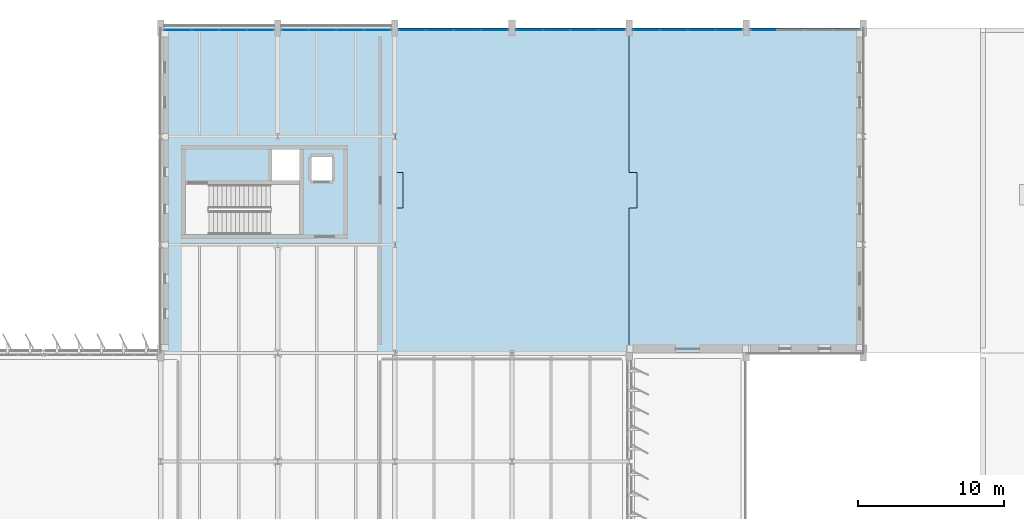
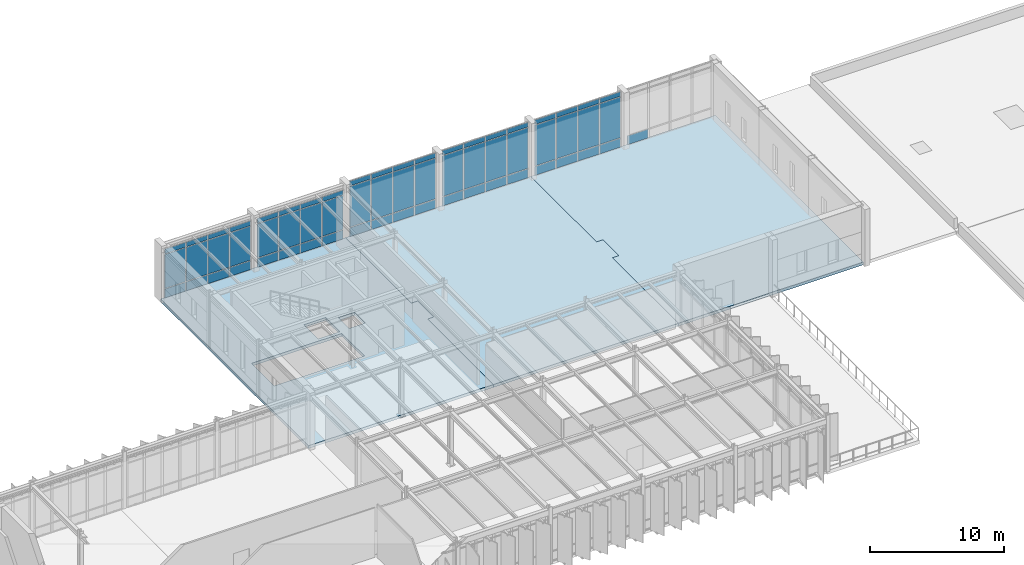
# One storey, part 32 of 48: 61 plates, 3 slabs, 6 elements without a shape of their own.
"""IFC4 building model written with IfcOpenShell, lengths in metres."""

from ifc_helpers import new_model, si_unit, direction, frame, origin, origin_2d, place, context, subcontext, project, spatial, polyline, rectangle, outline, extrude, material, layer, layer_set, type_object, element, aggregate, save


model = new_model("IFC4")

# Units and contexts
model_context = context("Model", 3, precision=1e-05, world=origin(), true_north=direction((0.0, 1.0)))
body_context = subcontext(model_context, "Body", "Model", "MODEL_VIEW")
ifc_project = project(units=[si_unit("LENGTHUNIT", "METRE"), si_unit("AREAUNIT", "SQUARE_METRE"), si_unit("VOLUMEUNIT", "CUBIC_METRE"), si_unit("PLANEANGLEUNIT", "RADIAN"), si_unit("MASSUNIT", "GRAM", prefix="KILO")], contexts=[model_context])

# Site, building, storey
site_placement = place(None, origin())
site = spatial("IfcSite", under=ifc_project, at=site_placement, CompositionType="ELEMENT")
building_placement = place(site_placement, origin())
building = spatial("IfcBuilding", under=site, at=building_placement, Name="Valkorina Park Police Headquarters", CompositionType="ELEMENT")
storey_placement = place(building_placement, frame((0.0, 0.0, 18.10009765625)))
storey = spatial("IfcBuildingStorey", under=building, at=storey_placement, Name="L05", CompositionType="ELEMENT", Elevation=18.10009765625)

# Curtain wall, plates
ifc_material_1 = material(Name="Thermally broken aluminium AW-6060", Category="aluminium")
ifc_layer_1 = layer(ifc_material_1, 0.18994140625)
ifc_layer_set_1 = layer_set([ifc_layer_1], Name="Thermally broken aluminium AW-6060")
curtain_wall_type_1 = type_object("IfcCurtainWallType", Name="CW-CMD-7530x4580", PredefinedType="NOTDEFINED", material=ifc_layer_set_1)
curtain_wall_1_placement = place(storey_placement, origin())
curtain_wall_1 = element("IfcCurtainWall", 1, at=curtain_wall_1_placement, inside=storey, type_object=curtain_wall_type_1, Name="L05 Unitised Curtain Wall 088", PredefinedType="NOTDEFINED")
ifc_layer_2 = layer(ifc_material_1, 0.050048828125)
ifc_layer_set_2 = layer_set([ifc_layer_2], Name="Thermally broken aluminium AW-6060")
plate_type_1 = type_object("IfcPlateType", Name="PL-CWP-SPANDREL-50", PredefinedType="CURTAIN_PANEL", material=ifc_layer_set_2)
plate_1_placement = place(storey_placement, frame((81.9912109375, 81.280029296875, 0.059814453125), z_axis=(0.0, 0.0, 1.0), x_axis=(1.0, 0.0, 0.0)))
plate_1 = element("IfcPlate", 2, at=plate_1_placement, type_object=plate_type_1, Name="CW-CMD-753-458 panel 1.1", PredefinedType="CURTAIN_PANEL", context=body_context, shape_type="SweptSolid", body=[
    extrude(rectangle(XDim=1.79248046875, YDim=0.028076171875, at=origin_2d()), origin(), (0.0, 0.0, 1.0), 0.81005859375),
])
plate_2_placement = place(storey_placement, frame((83.858642578125, 81.280029296875, 0.059814453125), z_axis=(0.0, 0.0, 1.0), x_axis=(1.0, 0.0, 0.0)))
plate_2 = element("IfcPlate", 3, at=plate_2_placement, type_object=plate_type_1, Name="CW-CMD-753-458 panel 2.1", PredefinedType="CURTAIN_PANEL", context=body_context, shape_type="SweptSolid", body=[
    extrude(rectangle(XDim=1.822509765625, YDim=0.028076171875, at=origin_2d()), origin(), (0.0, 0.0, 1.0), 0.81005859375),
])
plate_3_placement = place(storey_placement, frame((85.7412109375, 81.280029296875, 0.059814453125), z_axis=(0.0, 0.0, 1.0), x_axis=(1.0, 0.0, 0.0)))
plate_3 = element("IfcPlate", 4, at=plate_3_placement, type_object=plate_type_1, Name="CW-CMD-753-458 panel 3.1", PredefinedType="CURTAIN_PANEL", context=body_context, shape_type="SweptSolid", body=[
    extrude(rectangle(XDim=1.822509765625, YDim=0.028076171875, at=origin_2d()), origin(), (0.0, 0.0, 1.0), 0.81005859375),
])
plate_4_placement = place(storey_placement, frame((87.608642578125, 81.280029296875, 0.059814453125), z_axis=(0.0, 0.0, 1.0), x_axis=(1.0, 0.0, 0.0)))
plate_4 = element("IfcPlate", 5, at=plate_4_placement, type_object=plate_type_1, Name="CW-CMD-753-458 panel 4.1", PredefinedType="CURTAIN_PANEL", context=body_context, shape_type="SweptSolid", body=[
    extrude(rectangle(XDim=1.79248046875, YDim=0.028076171875, at=origin_2d()), origin(), (0.0, 0.0, 1.0), 0.81005859375),
])

curtain_wall_2_placement = place(storey_placement, origin())
curtain_wall_2 = element("IfcCurtainWall", 6, at=curtain_wall_2_placement, inside=storey, type_object=curtain_wall_type_1, Name="L05 Unitised Curtain Wall 089", PredefinedType="NOTDEFINED")
plate_5_placement = place(storey_placement, frame((89.9912109375, 81.280029296875, 0.059814453125), z_axis=(0.0, 0.0, 1.0), x_axis=(1.0, 0.0, 0.0)))
plate_5 = element("IfcPlate", 7, at=plate_5_placement, type_object=plate_type_1, Name="CW-CMD-753-458 panel 1.1", PredefinedType="CURTAIN_PANEL", context=body_context, shape_type="SweptSolid", body=[
    extrude(rectangle(XDim=1.79248046875, YDim=0.028076171875, at=origin_2d()), origin(), (0.0, 0.0, 1.0), 0.81005859375),
])
plate_6_placement = place(storey_placement, frame((91.858642578125, 81.280029296875, 0.059814453125), z_axis=(0.0, 0.0, 1.0), x_axis=(1.0, 0.0, 0.0)))
plate_6 = element("IfcPlate", 8, at=plate_6_placement, type_object=plate_type_1, Name="CW-CMD-753-458 panel 2.1", PredefinedType="CURTAIN_PANEL", context=body_context, shape_type="SweptSolid", body=[
    extrude(rectangle(XDim=1.822509765625, YDim=0.028076171875, at=origin_2d()), origin(), (0.0, 0.0, 1.0), 0.81005859375),
])
plate_7_placement = place(storey_placement, frame((93.7412109375, 81.280029296875, 0.059814453125), z_axis=(0.0, 0.0, 1.0), x_axis=(1.0, 0.0, 0.0)))
plate_7 = element("IfcPlate", 9, at=plate_7_placement, type_object=plate_type_1, Name="CW-CMD-753-458 panel 3.1", PredefinedType="CURTAIN_PANEL", context=body_context, shape_type="SweptSolid", body=[
    extrude(rectangle(XDim=1.822509765625, YDim=0.028076171875, at=origin_2d()), origin(), (0.0, 0.0, 1.0), 0.81005859375),
])
plate_8_placement = place(storey_placement, frame((95.608642578125, 81.280029296875, 0.059814453125), z_axis=(0.0, 0.0, 1.0), x_axis=(1.0, 0.0, 0.0)))
plate_8 = element("IfcPlate", 10, at=plate_8_placement, type_object=plate_type_1, Name="CW-CMD-753-458 panel 4.1", PredefinedType="CURTAIN_PANEL", context=body_context, shape_type="SweptSolid", body=[
    extrude(rectangle(XDim=1.79248046875, YDim=0.028076171875, at=origin_2d()), origin(), (0.0, 0.0, 1.0), 0.81005859375),
])

ifc_layer_3 = layer(ifc_material_1, 0.18994140625)
ifc_layer_set_3 = layer_set([ifc_layer_3], Name="Thermally broken aluminium AW-6060")
curtain_wall_type_2 = type_object("IfcCurtainWallType", Name="CW-CMD-7530x5190", PredefinedType="NOTDEFINED", material=ifc_layer_set_3)
curtain_wall_3_placement = place(storey_placement, origin())
curtain_wall_3 = element("IfcCurtainWall", 11, at=curtain_wall_3_placement, inside=storey, type_object=curtain_wall_type_2, Name="L05 Unitised Curtain Wall 090", PredefinedType="NOTDEFINED")
plate_9_placement = place(storey_placement, frame((97.9912109375, 81.280029296875, 0.059814453125), z_axis=(0.0, 0.0, 1.0), x_axis=(1.0, 0.0, 0.0)))
plate_9 = element("IfcPlate", 12, at=plate_9_placement, type_object=plate_type_1, Name="CW-CMD-753-519 panel 1.1", PredefinedType="CURTAIN_PANEL", context=body_context, shape_type="SweptSolid", body=[
    extrude(rectangle(XDim=1.79248046875, YDim=0.028076171875, at=origin_2d()), origin(), (0.0, 0.0, 1.0), 0.81005859375),
])
plate_10_placement = place(storey_placement, frame((99.858642578125, 81.280029296875, 0.059814453125), z_axis=(0.0, 0.0, 1.0), x_axis=(1.0, 0.0, 0.0)))
plate_10 = element("IfcPlate", 13, at=plate_10_placement, type_object=plate_type_1, Name="CW-CMD-753-519 panel 2.1", PredefinedType="CURTAIN_PANEL", context=body_context, shape_type="SweptSolid", body=[
    extrude(rectangle(XDim=1.822509765625, YDim=0.028076171875, at=origin_2d()), origin(), (0.0, 0.0, 1.0), 0.81005859375),
])
plate_11_placement = place(storey_placement, frame((101.7412109375, 81.280029296875, 0.059814453125), z_axis=(0.0, 0.0, 1.0), x_axis=(1.0, 0.0, 0.0)))
plate_11 = element("IfcPlate", 14, at=plate_11_placement, type_object=plate_type_1, Name="CW-CMD-753-519 panel 3.1", PredefinedType="CURTAIN_PANEL", context=body_context, shape_type="SweptSolid", body=[
    extrude(rectangle(XDim=1.822509765625, YDim=0.028076171875, at=origin_2d()), origin(), (0.0, 0.0, 1.0), 0.81005859375),
])
plate_12_placement = place(storey_placement, frame((103.608642578125, 81.280029296875, 0.059814453125), z_axis=(0.0, 0.0, 1.0), x_axis=(1.0, 0.0, 0.0)))
plate_12 = element("IfcPlate", 15, at=plate_12_placement, type_object=plate_type_1, Name="CW-CMD-753-519 panel 4.1", PredefinedType="CURTAIN_PANEL", context=body_context, shape_type="SweptSolid", body=[
    extrude(rectangle(XDim=1.79248046875, YDim=0.028076171875, at=origin_2d()), origin(), (0.0, 0.0, 1.0), 0.81005859375),
])

curtain_wall_4_placement = place(storey_placement, origin())
curtain_wall_4 = element("IfcCurtainWall", 16, at=curtain_wall_4_placement, inside=storey, type_object=curtain_wall_type_2, Name="L05 Unitised Curtain Wall 091", PredefinedType="NOTDEFINED")
plate_13_placement = place(storey_placement, frame((105.9912109375, 81.280029296875, 0.059814453125), z_axis=(0.0, 0.0, 1.0), x_axis=(1.0, 0.0, 0.0)))
plate_13 = element("IfcPlate", 17, at=plate_13_placement, type_object=plate_type_1, Name="CW-CMD-753-519 panel 1.1", PredefinedType="CURTAIN_PANEL", context=body_context, shape_type="SweptSolid", body=[
    extrude(rectangle(XDim=1.79248046875, YDim=0.028076171875, at=origin_2d()), origin(), (0.0, 0.0, 1.0), 0.81005859375),
])
plate_14_placement = place(storey_placement, frame((107.858642578125, 81.280029296875, 0.059814453125), z_axis=(0.0, 0.0, 1.0), x_axis=(1.0, 0.0, 0.0)))
plate_14 = element("IfcPlate", 18, at=plate_14_placement, type_object=plate_type_1, Name="CW-CMD-753-519 panel 2.1", PredefinedType="CURTAIN_PANEL", context=body_context, shape_type="SweptSolid", body=[
    extrude(rectangle(XDim=1.822509765625, YDim=0.028076171875, at=origin_2d()), origin(), (0.0, 0.0, 1.0), 0.81005859375),
])
plate_15_placement = place(storey_placement, frame((109.7412109375, 81.280029296875, 0.059814453125), z_axis=(0.0, 0.0, 1.0), x_axis=(1.0, 0.0, 0.0)))
plate_15 = element("IfcPlate", 19, at=plate_15_placement, type_object=plate_type_1, Name="CW-CMD-753-519 panel 3.1", PredefinedType="CURTAIN_PANEL", context=body_context, shape_type="SweptSolid", body=[
    extrude(rectangle(XDim=1.822509765625, YDim=0.028076171875, at=origin_2d()), origin(), (0.0, 0.0, 1.0), 0.81005859375),
])
plate_16_placement = place(storey_placement, frame((111.608642578125, 81.280029296875, 0.059814453125), z_axis=(0.0, 0.0, 1.0), x_axis=(1.0, 0.0, 0.0)))
plate_16 = element("IfcPlate", 20, at=plate_16_placement, type_object=plate_type_1, Name="CW-CMD-753-519 panel 4.1", PredefinedType="CURTAIN_PANEL", context=body_context, shape_type="SweptSolid", body=[
    extrude(rectangle(XDim=1.79248046875, YDim=0.028076171875, at=origin_2d()), origin(), (0.0, 0.0, 1.0), 0.81005859375),
])

curtain_wall_5_placement = place(storey_placement, origin())
curtain_wall_5 = element("IfcCurtainWall", 21, at=curtain_wall_5_placement, inside=storey, type_object=curtain_wall_type_2, Name="L05 Unitised Curtain Wall 092", PredefinedType="NOTDEFINED")
plate_17_placement = place(storey_placement, frame((113.9912109375, 81.280029296875, 0.059814453125), z_axis=(0.0, 0.0, 1.0), x_axis=(1.0, 0.0, 0.0)))
plate_17 = element("IfcPlate", 22, at=plate_17_placement, type_object=plate_type_1, Name="CW-CMD-753-519 panel 1.1", PredefinedType="CURTAIN_PANEL", context=body_context, shape_type="SweptSolid", body=[
    extrude(rectangle(XDim=1.79248046875, YDim=0.028076171875, at=origin_2d()), origin(), (0.0, 0.0, 1.0), 0.81005859375),
])
plate_18_placement = place(storey_placement, frame((115.858642578125, 81.280029296875, 0.059814453125), z_axis=(0.0, 0.0, 1.0), x_axis=(1.0, 0.0, 0.0)))
plate_18 = element("IfcPlate", 23, at=plate_18_placement, type_object=plate_type_1, Name="CW-CMD-753-519 panel 2.1", PredefinedType="CURTAIN_PANEL", context=body_context, shape_type="SweptSolid", body=[
    extrude(rectangle(XDim=1.822509765625, YDim=0.028076171875, at=origin_2d()), origin(), (0.0, 0.0, 1.0), 0.81005859375),
])
plate_19_placement = place(storey_placement, frame((117.7412109375, 81.280029296875, 0.059814453125), z_axis=(0.0, 0.0, 1.0), x_axis=(1.0, 0.0, 0.0)))
plate_19 = element("IfcPlate", 24, at=plate_19_placement, type_object=plate_type_1, Name="CW-CMD-753-519 panel 3.1", PredefinedType="CURTAIN_PANEL", context=body_context, shape_type="SweptSolid", body=[
    extrude(rectangle(XDim=1.822509765625, YDim=0.028076171875, at=origin_2d()), origin(), (0.0, 0.0, 1.0), 0.81005859375),
])
plate_20_placement = place(storey_placement, frame((119.608642578125, 81.280029296875, 0.059814453125), z_axis=(0.0, 0.0, 1.0), x_axis=(1.0, 0.0, 0.0)))
plate_20 = element("IfcPlate", 25, at=plate_20_placement, type_object=plate_type_1, Name="CW-CMD-753-519 panel 4.1", PredefinedType="CURTAIN_PANEL", context=body_context, shape_type="SweptSolid", body=[
    extrude(rectangle(XDim=1.79248046875, YDim=0.028076171875, at=origin_2d()), origin(), (0.0, 0.0, 1.0), 0.81005859375),
])

# Curtain wall, plate
curtain_wall_6_placement = place(storey_placement, origin())
curtain_wall_6 = element("IfcCurtainWall", 26, at=curtain_wall_6_placement, inside=storey, type_object=curtain_wall_type_2, Name="L05 Unitised Curtain Wall 093", PredefinedType="NOTDEFINED")
plate_21_placement = place(storey_placement, frame((121.9912109375, 81.280029296875, 0.059814453125), z_axis=(0.0, 0.0, 1.0), x_axis=(1.0, 0.0, 0.0)))
plate_21 = element("IfcPlate", 27, at=plate_21_placement, type_object=plate_type_1, Name="CW-CMD-753-519 panel 1.1", PredefinedType="CURTAIN_PANEL", context=body_context, shape_type="SweptSolid", body=[
    extrude(rectangle(XDim=1.79248046875, YDim=0.028076171875, at=origin_2d()), origin(), (0.0, 0.0, 1.0), 0.81005859375),
])
aggregate(curtain_wall_6, [plate_21])

# Plate
ifc_material_2 = material(Name="Triple low-E insulated glazing", Category="glass")
ifc_layer_4 = layer(ifc_material_2, 0.028076171875)
ifc_layer_set_4 = layer_set([ifc_layer_4], Name="Triple low-E insulated glazing")
plate_type_2 = type_object("IfcPlateType", Name="PL-CWP-VISION-28", PredefinedType="CURTAIN_PANEL", material=ifc_layer_set_4)
plate_22_placement = place(storey_placement, frame((81.9912109375, 81.280029296875, 0.929931640625), z_axis=(0.0, 0.0, 1.0), x_axis=(1.0, 0.0, 0.0)))
plate_22 = element("IfcPlate", 28, at=plate_22_placement, type_object=plate_type_2, Name="CW-CMD-753-458 panel 1.2", PredefinedType="CURTAIN_PANEL", context=body_context, shape_type="SweptSolid", body=[
    extrude(rectangle(XDim=1.79248046875, YDim=0.028076171875, at=origin_2d()), origin(), (0.0, 0.0, 1.0), 3.10009765625),
])

plate_23_placement = place(storey_placement, frame((81.9912109375, 81.280029296875, 4.08984375), z_axis=(0.0, 0.0, 1.0), x_axis=(1.0, 0.0, 0.0)))
plate_23 = element("IfcPlate", 29, at=plate_23_placement, type_object=plate_type_2, Name="CW-CMD-753-458 panel 1.3", PredefinedType="CURTAIN_PANEL", context=body_context, shape_type="SweptSolid", body=[
    extrude(rectangle(XDim=1.79248046875, YDim=0.028076171875, at=origin_2d()), origin(), (0.0, 0.0, 1.0), 0.429931640625),
])

plate_24_placement = place(storey_placement, frame((83.858642578125, 81.280029296875, 0.929931640625), z_axis=(0.0, 0.0, 1.0), x_axis=(1.0, 0.0, 0.0)))
plate_24 = element("IfcPlate", 30, at=plate_24_placement, type_object=plate_type_2, Name="CW-CMD-753-458 panel 2.2", PredefinedType="CURTAIN_PANEL", context=body_context, shape_type="SweptSolid", body=[
    extrude(rectangle(XDim=1.822509765625, YDim=0.028076171875, at=origin_2d()), origin(), (0.0, 0.0, 1.0), 3.10009765625),
])

plate_25_placement = place(storey_placement, frame((83.858642578125, 81.280029296875, 4.08984375), z_axis=(0.0, 0.0, 1.0), x_axis=(1.0, 0.0, 0.0)))
plate_25 = element("IfcPlate", 31, at=plate_25_placement, type_object=plate_type_2, Name="CW-CMD-753-458 panel 2.3", PredefinedType="CURTAIN_PANEL", context=body_context, shape_type="SweptSolid", body=[
    extrude(rectangle(XDim=1.822509765625, YDim=0.028076171875, at=origin_2d()), origin(), (0.0, 0.0, 1.0), 0.429931640625),
])

plate_26_placement = place(storey_placement, frame((85.7412109375, 81.280029296875, 0.929931640625), z_axis=(0.0, 0.0, 1.0), x_axis=(1.0, 0.0, 0.0)))
plate_26 = element("IfcPlate", 32, at=plate_26_placement, type_object=plate_type_2, Name="CW-CMD-753-458 panel 3.2", PredefinedType="CURTAIN_PANEL", context=body_context, shape_type="SweptSolid", body=[
    extrude(rectangle(XDim=1.822509765625, YDim=0.028076171875, at=origin_2d()), origin(), (0.0, 0.0, 1.0), 3.10009765625),
])

plate_27_placement = place(storey_placement, frame((85.7412109375, 81.280029296875, 4.08984375), z_axis=(0.0, 0.0, 1.0), x_axis=(1.0, 0.0, 0.0)))
plate_27 = element("IfcPlate", 33, at=plate_27_placement, type_object=plate_type_2, Name="CW-CMD-753-458 panel 3.3", PredefinedType="CURTAIN_PANEL", context=body_context, shape_type="SweptSolid", body=[
    extrude(rectangle(XDim=1.822509765625, YDim=0.028076171875, at=origin_2d()), origin(), (0.0, 0.0, 1.0), 0.429931640625),
])

plate_28_placement = place(storey_placement, frame((87.608642578125, 81.280029296875, 0.929931640625), z_axis=(0.0, 0.0, 1.0), x_axis=(1.0, 0.0, 0.0)))
plate_28 = element("IfcPlate", 34, at=plate_28_placement, type_object=plate_type_2, Name="CW-CMD-753-458 panel 4.2", PredefinedType="CURTAIN_PANEL", context=body_context, shape_type="SweptSolid", body=[
    extrude(rectangle(XDim=1.79248046875, YDim=0.028076171875, at=origin_2d()), origin(), (0.0, 0.0, 1.0), 3.10009765625),
])

plate_29_placement = place(storey_placement, frame((87.608642578125, 81.280029296875, 4.08984375), z_axis=(0.0, 0.0, 1.0), x_axis=(1.0, 0.0, 0.0)))
plate_29 = element("IfcPlate", 35, at=plate_29_placement, type_object=plate_type_2, Name="CW-CMD-753-458 panel 4.3", PredefinedType="CURTAIN_PANEL", context=body_context, shape_type="SweptSolid", body=[
    extrude(rectangle(XDim=1.79248046875, YDim=0.028076171875, at=origin_2d()), origin(), (0.0, 0.0, 1.0), 0.429931640625),
])

aggregate(curtain_wall_1, [plate_1, plate_22, plate_23, plate_2, plate_24, plate_25, plate_3, plate_26, plate_27, plate_4, plate_28, plate_29])

plate_30_placement = place(storey_placement, frame((89.9912109375, 81.280029296875, 0.929931640625), z_axis=(0.0, 0.0, 1.0), x_axis=(1.0, 0.0, 0.0)))
plate_30 = element("IfcPlate", 36, at=plate_30_placement, type_object=plate_type_2, Name="CW-CMD-753-458 panel 1.2", PredefinedType="CURTAIN_PANEL", context=body_context, shape_type="SweptSolid", body=[
    extrude(rectangle(XDim=1.79248046875, YDim=0.028076171875, at=origin_2d()), origin(), (0.0, 0.0, 1.0), 3.10009765625),
])

plate_31_placement = place(storey_placement, frame((89.9912109375, 81.280029296875, 4.08984375), z_axis=(0.0, 0.0, 1.0), x_axis=(1.0, 0.0, 0.0)))
plate_31 = element("IfcPlate", 37, at=plate_31_placement, type_object=plate_type_2, Name="CW-CMD-753-458 panel 1.3", PredefinedType="CURTAIN_PANEL", context=body_context, shape_type="SweptSolid", body=[
    extrude(rectangle(XDim=1.79248046875, YDim=0.028076171875, at=origin_2d()), origin(), (0.0, 0.0, 1.0), 0.429931640625),
])

plate_32_placement = place(storey_placement, frame((91.858642578125, 81.280029296875, 0.929931640625), z_axis=(0.0, 0.0, 1.0), x_axis=(1.0, 0.0, 0.0)))
plate_32 = element("IfcPlate", 38, at=plate_32_placement, type_object=plate_type_2, Name="CW-CMD-753-458 panel 2.2", PredefinedType="CURTAIN_PANEL", context=body_context, shape_type="SweptSolid", body=[
    extrude(rectangle(XDim=1.822509765625, YDim=0.028076171875, at=origin_2d()), origin(), (0.0, 0.0, 1.0), 3.10009765625),
])

plate_33_placement = place(storey_placement, frame((91.858642578125, 81.280029296875, 4.08984375), z_axis=(0.0, 0.0, 1.0), x_axis=(1.0, 0.0, 0.0)))
plate_33 = element("IfcPlate", 39, at=plate_33_placement, type_object=plate_type_2, Name="CW-CMD-753-458 panel 2.3", PredefinedType="CURTAIN_PANEL", context=body_context, shape_type="SweptSolid", body=[
    extrude(rectangle(XDim=1.822509765625, YDim=0.028076171875, at=origin_2d()), origin(), (0.0, 0.0, 1.0), 0.429931640625),
])

plate_34_placement = place(storey_placement, frame((93.7412109375, 81.280029296875, 0.929931640625), z_axis=(0.0, 0.0, 1.0), x_axis=(1.0, 0.0, 0.0)))
plate_34 = element("IfcPlate", 40, at=plate_34_placement, type_object=plate_type_2, Name="CW-CMD-753-458 panel 3.2", PredefinedType="CURTAIN_PANEL", context=body_context, shape_type="SweptSolid", body=[
    extrude(rectangle(XDim=1.822509765625, YDim=0.028076171875, at=origin_2d()), origin(), (0.0, 0.0, 1.0), 3.10009765625),
])

plate_35_placement = place(storey_placement, frame((93.7412109375, 81.280029296875, 4.08984375), z_axis=(0.0, 0.0, 1.0), x_axis=(1.0, 0.0, 0.0)))
plate_35 = element("IfcPlate", 41, at=plate_35_placement, type_object=plate_type_2, Name="CW-CMD-753-458 panel 3.3", PredefinedType="CURTAIN_PANEL", context=body_context, shape_type="SweptSolid", body=[
    extrude(rectangle(XDim=1.822509765625, YDim=0.028076171875, at=origin_2d()), origin(), (0.0, 0.0, 1.0), 0.429931640625),
])

plate_36_placement = place(storey_placement, frame((95.608642578125, 81.280029296875, 0.929931640625), z_axis=(0.0, 0.0, 1.0), x_axis=(1.0, 0.0, 0.0)))
plate_36 = element("IfcPlate", 42, at=plate_36_placement, type_object=plate_type_2, Name="CW-CMD-753-458 panel 4.2", PredefinedType="CURTAIN_PANEL", context=body_context, shape_type="SweptSolid", body=[
    extrude(rectangle(XDim=1.79248046875, YDim=0.028076171875, at=origin_2d()), origin(), (0.0, 0.0, 1.0), 3.10009765625),
])

plate_37_placement = place(storey_placement, frame((95.608642578125, 81.280029296875, 4.08984375), z_axis=(0.0, 0.0, 1.0), x_axis=(1.0, 0.0, 0.0)))
plate_37 = element("IfcPlate", 43, at=plate_37_placement, type_object=plate_type_2, Name="CW-CMD-753-458 panel 4.3", PredefinedType="CURTAIN_PANEL", context=body_context, shape_type="SweptSolid", body=[
    extrude(rectangle(XDim=1.79248046875, YDim=0.028076171875, at=origin_2d()), origin(), (0.0, 0.0, 1.0), 0.429931640625),
])

aggregate(curtain_wall_2, [plate_5, plate_30, plate_31, plate_6, plate_32, plate_33, plate_7, plate_34, plate_35, plate_8, plate_36, plate_37])

plate_38_placement = place(storey_placement, frame((97.9912109375, 81.280029296875, 0.929931640625), z_axis=(0.0, 0.0, 1.0), x_axis=(1.0, 0.0, 0.0)))
plate_38 = element("IfcPlate", 44, at=plate_38_placement, type_object=plate_type_2, Name="CW-CMD-753-519 panel 1.2", PredefinedType="CURTAIN_PANEL", context=body_context, shape_type="SweptSolid", body=[
    extrude(rectangle(XDim=1.79248046875, YDim=0.028076171875, at=origin_2d()), origin(), (0.0, 0.0, 1.0), 3.7099609375),
])

plate_39_placement = place(storey_placement, frame((97.9912109375, 81.280029296875, 4.69970703125), z_axis=(0.0, 0.0, 1.0), x_axis=(1.0, 0.0, 0.0)))
plate_39 = element("IfcPlate", 45, at=plate_39_placement, type_object=plate_type_2, Name="CW-CMD-753-519 panel 1.3", PredefinedType="CURTAIN_PANEL", context=body_context, shape_type="SweptSolid", body=[
    extrude(rectangle(XDim=1.79248046875, YDim=0.028076171875, at=origin_2d()), origin(), (0.0, 0.0, 1.0), 0.429931640625),
])

plate_40_placement = place(storey_placement, frame((99.858642578125, 81.280029296875, 0.929931640625), z_axis=(0.0, 0.0, 1.0), x_axis=(1.0, 0.0, 0.0)))
plate_40 = element("IfcPlate", 46, at=plate_40_placement, type_object=plate_type_2, Name="CW-CMD-753-519 panel 2.2", PredefinedType="CURTAIN_PANEL", context=body_context, shape_type="SweptSolid", body=[
    extrude(rectangle(XDim=1.822509765625, YDim=0.028076171875, at=origin_2d()), origin(), (0.0, 0.0, 1.0), 3.7099609375),
])

plate_41_placement = place(storey_placement, frame((99.858642578125, 81.280029296875, 4.69970703125), z_axis=(0.0, 0.0, 1.0), x_axis=(1.0, 0.0, 0.0)))
plate_41 = element("IfcPlate", 47, at=plate_41_placement, type_object=plate_type_2, Name="CW-CMD-753-519 panel 2.3", PredefinedType="CURTAIN_PANEL", context=body_context, shape_type="SweptSolid", body=[
    extrude(rectangle(XDim=1.822509765625, YDim=0.028076171875, at=origin_2d()), origin(), (0.0, 0.0, 1.0), 0.429931640625),
])

plate_42_placement = place(storey_placement, frame((101.7412109375, 81.280029296875, 0.929931640625), z_axis=(0.0, 0.0, 1.0), x_axis=(1.0, 0.0, 0.0)))
plate_42 = element("IfcPlate", 48, at=plate_42_placement, type_object=plate_type_2, Name="CW-CMD-753-519 panel 3.2", PredefinedType="CURTAIN_PANEL", context=body_context, shape_type="SweptSolid", body=[
    extrude(rectangle(XDim=1.822509765625, YDim=0.028076171875, at=origin_2d()), origin(), (0.0, 0.0, 1.0), 3.7099609375),
])

plate_43_placement = place(storey_placement, frame((101.7412109375, 81.280029296875, 4.69970703125), z_axis=(0.0, 0.0, 1.0), x_axis=(1.0, 0.0, 0.0)))
plate_43 = element("IfcPlate", 49, at=plate_43_placement, type_object=plate_type_2, Name="CW-CMD-753-519 panel 3.3", PredefinedType="CURTAIN_PANEL", context=body_context, shape_type="SweptSolid", body=[
    extrude(rectangle(XDim=1.822509765625, YDim=0.028076171875, at=origin_2d()), origin(), (0.0, 0.0, 1.0), 0.429931640625),
])

plate_44_placement = place(storey_placement, frame((103.608642578125, 81.280029296875, 0.929931640625), z_axis=(0.0, 0.0, 1.0), x_axis=(1.0, 0.0, 0.0)))
plate_44 = element("IfcPlate", 50, at=plate_44_placement, type_object=plate_type_2, Name="CW-CMD-753-519 panel 4.2", PredefinedType="CURTAIN_PANEL", context=body_context, shape_type="SweptSolid", body=[
    extrude(rectangle(XDim=1.79248046875, YDim=0.028076171875, at=origin_2d()), origin(), (0.0, 0.0, 1.0), 3.7099609375),
])

plate_45_placement = place(storey_placement, frame((103.608642578125, 81.280029296875, 4.69970703125), z_axis=(0.0, 0.0, 1.0), x_axis=(1.0, 0.0, 0.0)))
plate_45 = element("IfcPlate", 51, at=plate_45_placement, type_object=plate_type_2, Name="CW-CMD-753-519 panel 4.3", PredefinedType="CURTAIN_PANEL", context=body_context, shape_type="SweptSolid", body=[
    extrude(rectangle(XDim=1.79248046875, YDim=0.028076171875, at=origin_2d()), origin(), (0.0, 0.0, 1.0), 0.429931640625),
])

aggregate(curtain_wall_3, [plate_9, plate_38, plate_39, plate_10, plate_40, plate_41, plate_11, plate_42, plate_43, plate_12, plate_44, plate_45])

plate_46_placement = place(storey_placement, frame((105.9912109375, 81.280029296875, 0.929931640625), z_axis=(0.0, 0.0, 1.0), x_axis=(1.0, 0.0, 0.0)))
plate_46 = element("IfcPlate", 52, at=plate_46_placement, type_object=plate_type_2, Name="CW-CMD-753-519 panel 1.2", PredefinedType="CURTAIN_PANEL", context=body_context, shape_type="SweptSolid", body=[
    extrude(rectangle(XDim=1.79248046875, YDim=0.028076171875, at=origin_2d()), origin(), (0.0, 0.0, 1.0), 3.7099609375),
])

plate_47_placement = place(storey_placement, frame((105.9912109375, 81.280029296875, 4.69970703125), z_axis=(0.0, 0.0, 1.0), x_axis=(1.0, 0.0, 0.0)))
plate_47 = element("IfcPlate", 53, at=plate_47_placement, type_object=plate_type_2, Name="CW-CMD-753-519 panel 1.3", PredefinedType="CURTAIN_PANEL", context=body_context, shape_type="SweptSolid", body=[
    extrude(rectangle(XDim=1.79248046875, YDim=0.028076171875, at=origin_2d()), origin(), (0.0, 0.0, 1.0), 0.429931640625),
])

plate_48_placement = place(storey_placement, frame((107.858642578125, 81.280029296875, 0.929931640625), z_axis=(0.0, 0.0, 1.0), x_axis=(1.0, 0.0, 0.0)))
plate_48 = element("IfcPlate", 54, at=plate_48_placement, type_object=plate_type_2, Name="CW-CMD-753-519 panel 2.2", PredefinedType="CURTAIN_PANEL", context=body_context, shape_type="SweptSolid", body=[
    extrude(rectangle(XDim=1.822509765625, YDim=0.028076171875, at=origin_2d()), origin(), (0.0, 0.0, 1.0), 3.7099609375),
])

plate_49_placement = place(storey_placement, frame((107.858642578125, 81.280029296875, 4.69970703125), z_axis=(0.0, 0.0, 1.0), x_axis=(1.0, 0.0, 0.0)))
plate_49 = element("IfcPlate", 55, at=plate_49_placement, type_object=plate_type_2, Name="CW-CMD-753-519 panel 2.3", PredefinedType="CURTAIN_PANEL", context=body_context, shape_type="SweptSolid", body=[
    extrude(rectangle(XDim=1.822509765625, YDim=0.028076171875, at=origin_2d()), origin(), (0.0, 0.0, 1.0), 0.429931640625),
])

plate_50_placement = place(storey_placement, frame((109.7412109375, 81.280029296875, 0.929931640625), z_axis=(0.0, 0.0, 1.0), x_axis=(1.0, 0.0, 0.0)))
plate_50 = element("IfcPlate", 56, at=plate_50_placement, type_object=plate_type_2, Name="CW-CMD-753-519 panel 3.2", PredefinedType="CURTAIN_PANEL", context=body_context, shape_type="SweptSolid", body=[
    extrude(rectangle(XDim=1.822509765625, YDim=0.028076171875, at=origin_2d()), origin(), (0.0, 0.0, 1.0), 3.7099609375),
])

plate_51_placement = place(storey_placement, frame((109.7412109375, 81.280029296875, 4.69970703125), z_axis=(0.0, 0.0, 1.0), x_axis=(1.0, 0.0, 0.0)))
plate_51 = element("IfcPlate", 57, at=plate_51_placement, type_object=plate_type_2, Name="CW-CMD-753-519 panel 3.3", PredefinedType="CURTAIN_PANEL", context=body_context, shape_type="SweptSolid", body=[
    extrude(rectangle(XDim=1.822509765625, YDim=0.028076171875, at=origin_2d()), origin(), (0.0, 0.0, 1.0), 0.429931640625),
])

plate_52_placement = place(storey_placement, frame((111.608642578125, 81.280029296875, 0.929931640625), z_axis=(0.0, 0.0, 1.0), x_axis=(1.0, 0.0, 0.0)))
plate_52 = element("IfcPlate", 58, at=plate_52_placement, type_object=plate_type_2, Name="CW-CMD-753-519 panel 4.2", PredefinedType="CURTAIN_PANEL", context=body_context, shape_type="SweptSolid", body=[
    extrude(rectangle(XDim=1.79248046875, YDim=0.028076171875, at=origin_2d()), origin(), (0.0, 0.0, 1.0), 3.7099609375),
])

plate_53_placement = place(storey_placement, frame((111.608642578125, 81.280029296875, 4.69970703125), z_axis=(0.0, 0.0, 1.0), x_axis=(1.0, 0.0, 0.0)))
plate_53 = element("IfcPlate", 59, at=plate_53_placement, type_object=plate_type_2, Name="CW-CMD-753-519 panel 4.3", PredefinedType="CURTAIN_PANEL", context=body_context, shape_type="SweptSolid", body=[
    extrude(rectangle(XDim=1.79248046875, YDim=0.028076171875, at=origin_2d()), origin(), (0.0, 0.0, 1.0), 0.429931640625),
])

aggregate(curtain_wall_4, [plate_13, plate_46, plate_47, plate_14, plate_48, plate_49, plate_15, plate_50, plate_51, plate_16, plate_52, plate_53])

plate_54_placement = place(storey_placement, frame((113.9912109375, 81.280029296875, 0.929931640625), z_axis=(0.0, 0.0, 1.0), x_axis=(1.0, 0.0, 0.0)))
plate_54 = element("IfcPlate", 60, at=plate_54_placement, type_object=plate_type_2, Name="CW-CMD-753-519 panel 1.2", PredefinedType="CURTAIN_PANEL", context=body_context, shape_type="SweptSolid", body=[
    extrude(rectangle(XDim=1.79248046875, YDim=0.028076171875, at=origin_2d()), origin(), (0.0, 0.0, 1.0), 3.7099609375),
])

plate_55_placement = place(storey_placement, frame((113.9912109375, 81.280029296875, 4.69970703125), z_axis=(0.0, 0.0, 1.0), x_axis=(1.0, 0.0, 0.0)))
plate_55 = element("IfcPlate", 61, at=plate_55_placement, type_object=plate_type_2, Name="CW-CMD-753-519 panel 1.3", PredefinedType="CURTAIN_PANEL", context=body_context, shape_type="SweptSolid", body=[
    extrude(rectangle(XDim=1.79248046875, YDim=0.028076171875, at=origin_2d()), origin(), (0.0, 0.0, 1.0), 0.429931640625),
])

plate_56_placement = place(storey_placement, frame((115.858642578125, 81.280029296875, 0.929931640625), z_axis=(0.0, 0.0, 1.0), x_axis=(1.0, 0.0, 0.0)))
plate_56 = element("IfcPlate", 62, at=plate_56_placement, type_object=plate_type_2, Name="CW-CMD-753-519 panel 2.2", PredefinedType="CURTAIN_PANEL", context=body_context, shape_type="SweptSolid", body=[
    extrude(rectangle(XDim=1.822509765625, YDim=0.028076171875, at=origin_2d()), origin(), (0.0, 0.0, 1.0), 3.7099609375),
])

plate_57_placement = place(storey_placement, frame((115.858642578125, 81.280029296875, 4.69970703125), z_axis=(0.0, 0.0, 1.0), x_axis=(1.0, 0.0, 0.0)))
plate_57 = element("IfcPlate", 63, at=plate_57_placement, type_object=plate_type_2, Name="CW-CMD-753-519 panel 2.3", PredefinedType="CURTAIN_PANEL", context=body_context, shape_type="SweptSolid", body=[
    extrude(rectangle(XDim=1.822509765625, YDim=0.028076171875, at=origin_2d()), origin(), (0.0, 0.0, 1.0), 0.429931640625),
])

plate_58_placement = place(storey_placement, frame((117.7412109375, 81.280029296875, 0.929931640625), z_axis=(0.0, 0.0, 1.0), x_axis=(1.0, 0.0, 0.0)))
plate_58 = element("IfcPlate", 64, at=plate_58_placement, type_object=plate_type_2, Name="CW-CMD-753-519 panel 3.2", PredefinedType="CURTAIN_PANEL", context=body_context, shape_type="SweptSolid", body=[
    extrude(rectangle(XDim=1.822509765625, YDim=0.028076171875, at=origin_2d()), origin(), (0.0, 0.0, 1.0), 3.7099609375),
])

plate_59_placement = place(storey_placement, frame((117.7412109375, 81.280029296875, 4.69970703125), z_axis=(0.0, 0.0, 1.0), x_axis=(1.0, 0.0, 0.0)))
plate_59 = element("IfcPlate", 65, at=plate_59_placement, type_object=plate_type_2, Name="CW-CMD-753-519 panel 3.3", PredefinedType="CURTAIN_PANEL", context=body_context, shape_type="SweptSolid", body=[
    extrude(rectangle(XDim=1.822509765625, YDim=0.028076171875, at=origin_2d()), origin(), (0.0, 0.0, 1.0), 0.429931640625),
])

plate_60_placement = place(storey_placement, frame((119.608642578125, 81.280029296875, 0.929931640625), z_axis=(0.0, 0.0, 1.0), x_axis=(1.0, 0.0, 0.0)))
plate_60 = element("IfcPlate", 66, at=plate_60_placement, type_object=plate_type_2, Name="CW-CMD-753-519 panel 4.2", PredefinedType="CURTAIN_PANEL", context=body_context, shape_type="SweptSolid", body=[
    extrude(rectangle(XDim=1.79248046875, YDim=0.028076171875, at=origin_2d()), origin(), (0.0, 0.0, 1.0), 3.7099609375),
])

plate_61_placement = place(storey_placement, frame((119.608642578125, 81.280029296875, 4.69970703125), z_axis=(0.0, 0.0, 1.0), x_axis=(1.0, 0.0, 0.0)))
plate_61 = element("IfcPlate", 67, at=plate_61_placement, type_object=plate_type_2, Name="CW-CMD-753-519 panel 4.3", PredefinedType="CURTAIN_PANEL", context=body_context, shape_type="SweptSolid", body=[
    extrude(rectangle(XDim=1.79248046875, YDim=0.028076171875, at=origin_2d()), origin(), (0.0, 0.0, 1.0), 0.429931640625),
])

aggregate(curtain_wall_5, [plate_17, plate_54, plate_55, plate_18, plate_56, plate_57, plate_19, plate_58, plate_59, plate_20, plate_60, plate_61])

# Slabs
ifc_material_3 = material(Name="Concrete C35/45", Category="concrete")
ifc_layer_5 = layer(ifc_material_3, 0.260009765625)
ifc_layer_set_5 = layer_set([ifc_layer_5], Name="Concrete C35/45")
slab_type = type_object("IfcSlabType", Name="SL-PODIUM-260", PredefinedType="FLOOR", material=ifc_layer_set_5)
slab_1_placement = place(storey_placement, frame((0.0, 0.0, -0.260009765625)))
element("IfcSlab", 68, at=slab_1_placement, inside=storey, type_object=slab_type, Name="L05 Structural Floor Slab 96", PredefinedType="FLOOR", context=body_context, shape_type="SweptSolid", body=[
    extrude(outline(polyline([(96.800048828125, 59.241943359375), (96.800048828125, 69.12109375), (97.35009765625, 69.12109375), (97.35009765625, 71.52099609375), (96.800048828125, 71.52099609375), (96.800048828125, 81.39990234375), (80.800048828125, 81.39990234375), (80.800048828125, 59.241943359375), (96.800048828125, 59.241943359375)]), holes=[polyline([(82.5, 67.300048828125), (82.5, 70.699951171875), (90.300048828125, 70.699951171875), (90.300048828125, 67.300048828125), (82.5, 67.300048828125)]), polyline([(92.5, 71.0), (91.10009765625, 71.0), (91.10009765625, 72.60009765625), (92.5, 72.60009765625), (92.5, 71.0)]), polyline([(90.300048828125, 70.97998046875), (88.39990234375, 70.97998046875), (88.39990234375, 73.10009765625), (90.300048828125, 73.10009765625), (90.300048828125, 70.97998046875)])]), origin(), (0.0, 0.0, 1.0), 0.260009765625),
])
slab_2_placement = place(storey_placement, frame((0.0, 0.0, -0.260009765625)))
element("IfcSlab", 69, at=slab_2_placement, inside=storey, type_object=slab_type, Name="L05 Structural Floor Slab 97", PredefinedType="FLOOR", context=body_context, shape_type="SweptSolid", body=[
    extrude(outline(polyline([(112.800048828125, 81.39990234375), (96.800048828125, 81.39990234375), (96.800048828125, 71.52099609375), (97.35009765625, 71.52099609375), (97.35009765625, 69.12109375), (96.800048828125, 69.12109375), (96.800048828125, 59.241943359375), (112.800048828125, 59.241943359375), (112.800048828125, 69.12109375), (113.35009765625, 69.12109375), (113.35009765625, 71.52099609375), (112.800048828125, 71.52099609375), (112.800048828125, 81.39990234375)])), origin(), (0.0, 0.0, 1.0), 0.260009765625),
])
slab_3_placement = place(storey_placement, frame((0.0, 0.0, -0.260009765625)))
element("IfcSlab", 70, at=slab_3_placement, inside=storey, type_object=slab_type, Name="L05 Structural Floor Slab 98", PredefinedType="FLOOR", context=body_context, shape_type="SweptSolid", body=[
    extrude(outline(polyline([(112.800048828125, 81.39990234375), (112.800048828125, 71.52099609375), (113.35009765625, 71.52099609375), (113.35009765625, 69.12109375), (112.800048828125, 69.12109375), (112.800048828125, 59.241943359375), (128.800048828125, 59.241943359375), (128.800048828125, 81.39990234375), (112.800048828125, 81.39990234375)])), origin(), (0.0, 0.0, 1.0), 0.260009765625),
])

save(model, "model.ifc")
